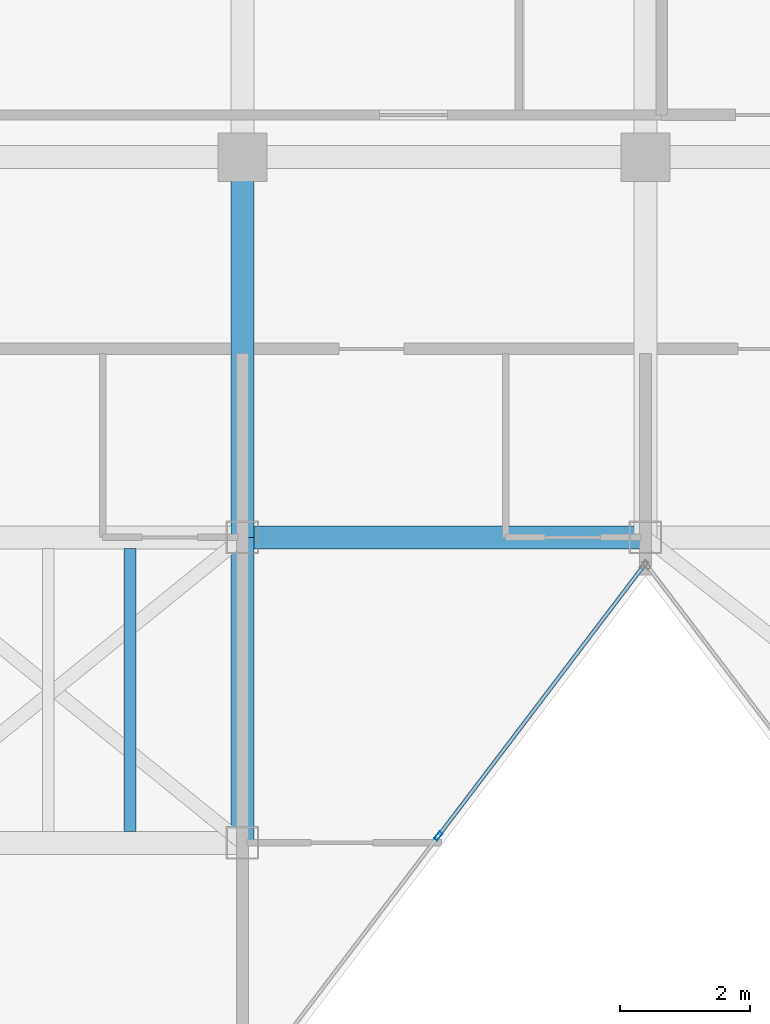
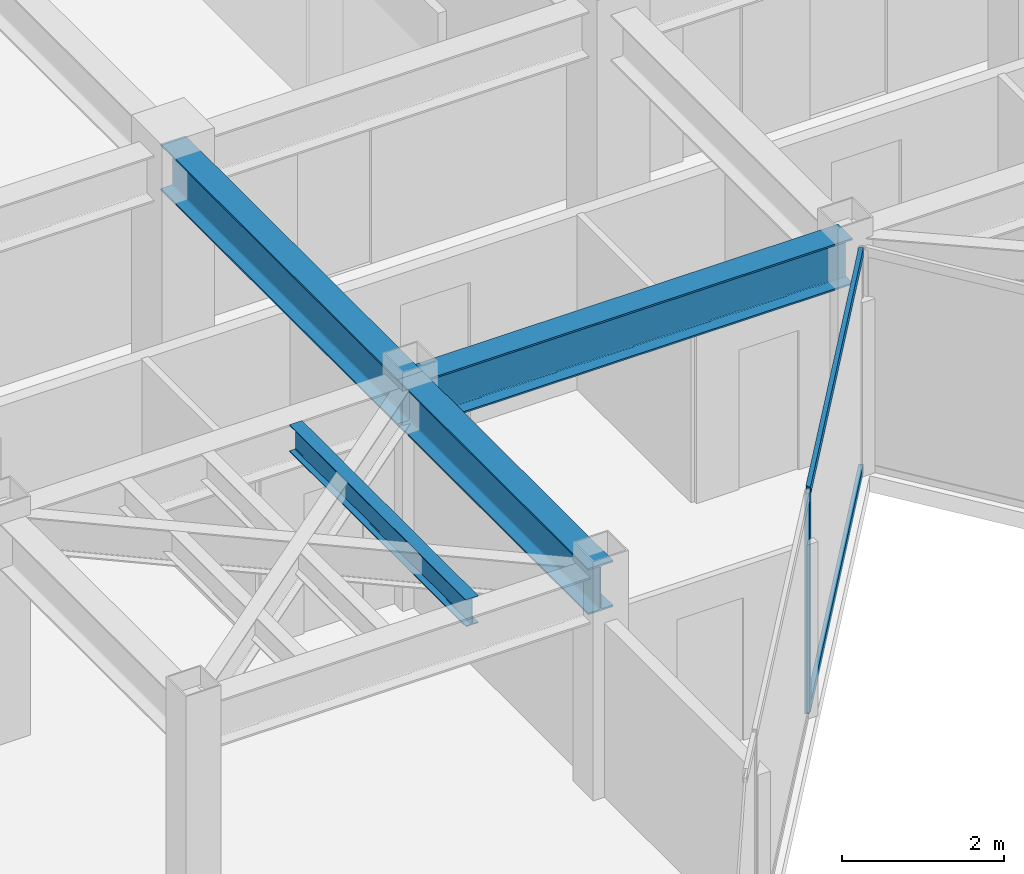
# One storey, part 5 of 19: 4 beams, 3 members, 1 element without a shape of its own.
"""IFC4 building model written with IfcOpenShell, lengths in metres."""

from ifc_helpers import new_model, si_unit, direction, frame, origin, origin_2d, place, context, subcontext, project, spatial, hollow_rectangle, i_section, extrude, material, layer, layer_set, material_profile, profile_set, type_object, element, aggregate, save


model = new_model("IFC4")

# Units and contexts
model_context = context("Model", 3, precision=1e-05, world=origin(), true_north=direction((0.0, 1.0)))
body_context = subcontext(model_context, "Body", "Model", "MODEL_VIEW")
ifc_project = project(units=[si_unit("LENGTHUNIT", "METRE"), si_unit("AREAUNIT", "SQUARE_METRE"), si_unit("VOLUMEUNIT", "CUBIC_METRE"), si_unit("PLANEANGLEUNIT", "RADIAN"), si_unit("MASSUNIT", "GRAM", prefix="KILO")], contexts=[model_context])

# Site, building, storey
site_placement = place(None, origin())
site = spatial("IfcSite", under=ifc_project, at=site_placement, CompositionType="ELEMENT")
building_placement = place(site_placement, origin())
building = spatial("IfcBuilding", under=site, at=building_placement, Name="Kravanh Interchange Tower", CompositionType="ELEMENT")
storey_placement = place(building_placement, frame((0.0, 0.0, 274.199951171875)))
storey = spatial("IfcBuildingStorey", under=building, at=storey_placement, Name="L67", CompositionType="ELEMENT", Elevation=274.199951171875)

# Curtain wall, members
ifc_material_1 = material(Name="Anodised Bronze Aluminium", Category="aluminium")
ifc_layer = layer(ifc_material_1, 0.179931640625)
ifc_layer_set = layer_set([ifc_layer], Name="Unitised Curtain Wall System CW-HTL Luxury Hotel")
curtain_wall_type = type_object("IfcCurtainWallType", Name="Unitised Curtain Wall System CW-HTL Luxury Hotel", PredefinedType="NOTDEFINED", material=ifc_layer_set)
curtain_wall_placement = place(storey_placement, origin())
curtain_wall = element("IfcCurtainWall", 1, at=curtain_wall_placement, inside=storey, type_object=curtain_wall_type, Name="L67 Unitised Curtain Wall CW-L67-05", PredefinedType="NOTDEFINED")
ifc_material_2 = material(Name="Anodised Bronze Aluminium", Category="aluminium")
ifc_material_profile_1 = material_profile(ifc_material_2, hollow_rectangle(XDim=0.06005859375, YDim=0.139892578125, WallThickness=0.00390625, at=origin_2d()), Name="ALU60X140X4")
ifc_profile_set_1 = profile_set([ifc_material_profile_1], Name="Anodised Bronze Aluminium")
member_type_1 = type_object("IfcMemberType", Name="Curtain Wall Mullion ALU60X140X4 Bronze", PredefinedType="MULLION", material=ifc_profile_set_1)
member_1_placement = place(storey_placement, frame((41.613525390625, 26.905517578125, 0.0), z_axis=(0.0, 0.0, 1.0), x_axis=(0.79616243806, -0.605082946564, 0.0)))
member_1 = element("IfcMember", 2, at=member_1_placement, type_object=member_type_1, Name="CW-HTL mullion 2", PredefinedType="MULLION", context=body_context, shape_type="SweptSolid", body=[
    extrude(hollow_rectangle(XDim=0.06005859375, YDim=0.139892578125, WallThickness=0.00390625, at=origin_2d()), origin(), (0.0, 0.0, 1.0), 3.320068359375),
])
ifc_material_3 = material(Name="Anodised Bronze Aluminium", Category="aluminium")
ifc_material_profile_2 = material_profile(ifc_material_3, hollow_rectangle(XDim=0.06005859375, YDim=0.139892578125, WallThickness=0.00390625, at=origin_2d()), Name="ALU60X140X4")
ifc_profile_set_2 = profile_set([ifc_material_profile_2], Name="Anodised Bronze Aluminium")
member_type_2 = type_object("IfcMemberType", Name="Curtain Wall Transom ALU60X140X4 Bronze", PredefinedType="USERDEFINED", material=ifc_profile_set_2)
member_2_placement = place(storey_placement, frame((44.763671875, 31.050537109375, 0.030029296875), z_axis=(-0.605089246946, -0.796157649734, 0.0), x_axis=(0.796157649734, -0.605089246946, 0.0)))
member_2 = element("IfcMember", 3, at=member_2_placement, type_object=member_type_2, Name="CW-HTL transom 1.1", ObjectType="TRANSOM", PredefinedType="USERDEFINED", context=body_context, shape_type="SweptSolid", body=[
    extrude(hollow_rectangle(XDim=0.06005859375, YDim=0.139892578125, WallThickness=0.00390625, at=origin_2d()), origin(), (0.0, 0.0, 1.0), 5.17626953125),
])
member_3_placement = place(storey_placement, frame((44.763671875, 31.050537109375, 3.2900390625), z_axis=(-0.605089246946, -0.796157649734, 0.0), x_axis=(0.796157649734, -0.605089246946, 0.0)))
member_3 = element("IfcMember", 4, at=member_3_placement, type_object=member_type_2, Name="CW-HTL transom 1.2", ObjectType="TRANSOM", PredefinedType="USERDEFINED", context=body_context, shape_type="SweptSolid", body=[
    extrude(hollow_rectangle(XDim=0.06005859375, YDim=0.139892578125, WallThickness=0.00390625, at=origin_2d()), origin(), (0.0, 0.0, 1.0), 5.17626953125),
])
aggregate(curtain_wall, [member_1, member_2, member_3])

# Beams
ifc_material_4 = material(Name="Structural Steel S355", Category="steel")
ifc_material_profile_3 = material_profile(ifc_material_4, i_section(OverallWidth=0.35498046875, OverallDepth=0.696044921875, WebThickness=0.015380859375, FlangeThickness=0.02490234375, FilletRadius=0.02392578125, at=origin_2d()), Name="W27X146")
ifc_profile_set_3 = profile_set([ifc_material_profile_3], Name="Structural Steel S355")
beam_type_1 = type_object("IfcBeamType", Name="Floor Beam W27X146 Structural Steel S355", PredefinedType="BEAM", material=ifc_profile_set_3)
beam_1_placement = place(storey_placement, frame((44.800048828125, 31.5, 2.97216796875), z_axis=(-1.0, 0.0, 0.0), x_axis=(0.0, -1.0, 0.0)))
element("IfcBeam", 5, at=beam_1_placement, inside=storey, type_object=beam_type_1, Name="L67 Primary Floor Girder 3", PredefinedType="BEAM", context=body_context, shape_type="SweptSolid", body=[
    extrude(i_section(OverallWidth=0.35498046875, OverallDepth=0.696044921875, WebThickness=0.015380859375, FlangeThickness=0.02490234375, FilletRadius=0.02392578125, at=origin_2d()), origin(), (0.0, 0.0, 1.0), 6.199951171875),
])
beam_2_placement = place(storey_placement, frame((38.60009765625, 31.5, 2.97216796875), z_axis=(0.0, -1.0, 0.0), x_axis=(1.0, 0.0, 0.0)))
element("IfcBeam", 6, at=beam_2_placement, inside=storey, type_object=beam_type_1, Name="L67 Primary Floor Girder 17", PredefinedType="BEAM", context=body_context, shape_type="SweptSolid", body=[
    extrude(i_section(OverallWidth=0.35498046875, OverallDepth=0.696044921875, WebThickness=0.015380859375, FlangeThickness=0.02490234375, FilletRadius=0.02392578125, at=origin_2d()), origin(), (0.0, 0.0, 1.0), 4.699951171875),
])
beam_3_placement = place(storey_placement, frame((38.60009765625, 31.5, 2.97216796875), z_axis=(0.0, 1.0, 0.0), x_axis=(-1.0, 0.0, 0.0)))
element("IfcBeam", 7, at=beam_3_placement, inside=storey, type_object=beam_type_1, Name="L67 Primary Floor Girder 19", PredefinedType="BEAM", context=body_context, shape_type="SweptSolid", body=[
    extrude(i_section(OverallWidth=0.35498046875, OverallDepth=0.696044921875, WebThickness=0.015380859375, FlangeThickness=0.02490234375, FilletRadius=0.02392578125, at=origin_2d()), origin(), (0.0, 0.0, 1.0), 5.85009765625),
])
ifc_material_5 = material(Name="Structural Steel S355", Category="steel")
ifc_material_profile_4 = material_profile(ifc_material_5, i_section(OverallWidth=0.177978515625, OverallDepth=0.406005859375, WebThickness=0.0078125, FlangeThickness=0.0126953125, FilletRadius=0.01611328125, at=origin_2d()), Name="W16X40")
ifc_profile_set_4 = profile_set([ifc_material_profile_4], Name="Structural Steel S355")
beam_type_2 = type_object("IfcBeamType", Name="Floor Joist W16X40 Structural Steel S355", PredefinedType="JOIST", material=ifc_profile_set_4)
beam_4_placement = place(storey_placement, frame((36.8701171875, 26.972412109375, 3.116943359375), z_axis=(0.0, 1.0, 0.0), x_axis=(-1.0, 0.0, 0.0)))
element("IfcBeam", 8, at=beam_4_placement, inside=storey, type_object=beam_type_2, Name="L67 Secondary Floor Joist 6", PredefinedType="JOIST", context=body_context, shape_type="SweptSolid", body=[
    extrude(i_section(OverallWidth=0.177978515625, OverallDepth=0.406005859375, WebThickness=0.0078125, FlangeThickness=0.0126953125, FilletRadius=0.01611328125, at=origin_2d()), origin(), (0.0, 0.0, 1.0), 4.35498046875),
])

save(model, "model.ifc")
